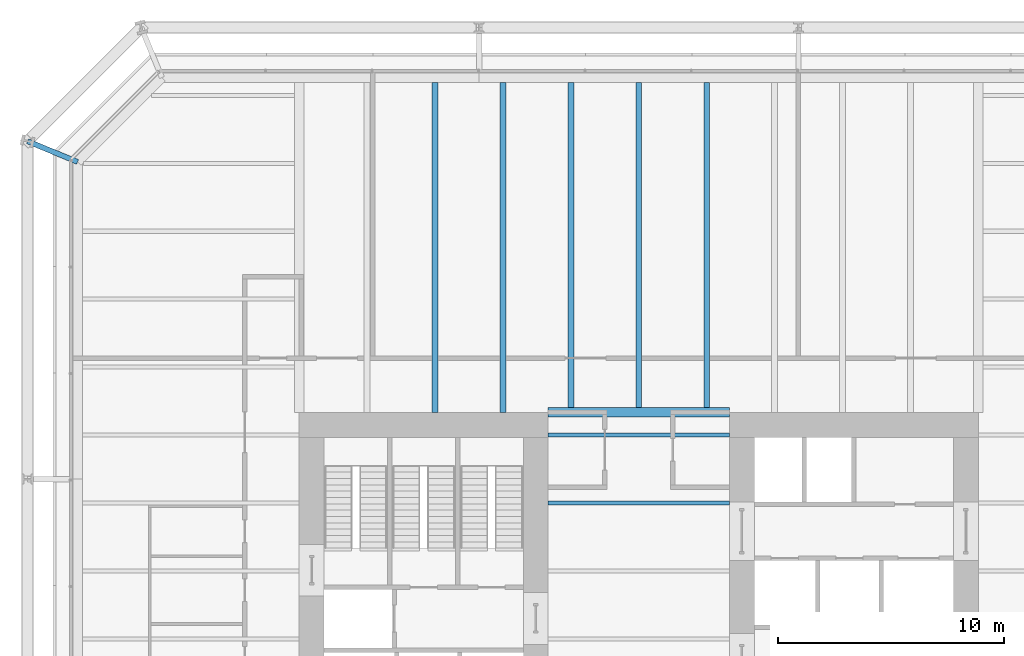
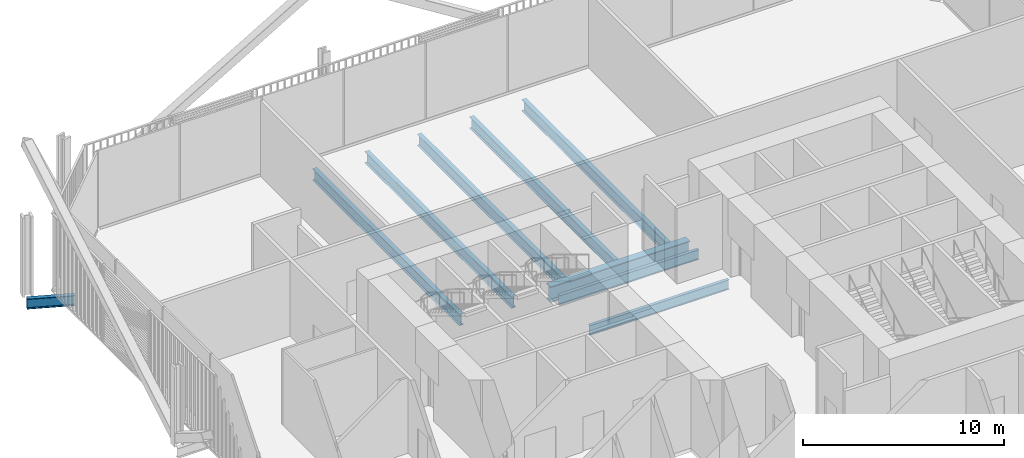
# One storey, part 13 of 22: 9 beams.
"""IFC4 building model written with IfcOpenShell, lengths in metres."""

from ifc_helpers import new_model, si_unit, direction, frame, origin, origin_2d, place, context, subcontext, project, spatial, i_section, extrude, material, material_profile, profile_set, type_object, element, save


model = new_model("IFC4")

# Units and contexts
model_context = context("Model", 3, precision=1e-05, world=origin(), true_north=direction((0.0, 1.0)))
body_context = subcontext(model_context, "Body", "Model", "MODEL_VIEW")
ifc_project = project(units=[si_unit("LENGTHUNIT", "METRE"), si_unit("AREAUNIT", "SQUARE_METRE"), si_unit("VOLUMEUNIT", "CUBIC_METRE"), si_unit("PLANEANGLEUNIT", "RADIAN"), si_unit("MASSUNIT", "GRAM", prefix="KILO")], contexts=[model_context])

# Site, building, storey
site_placement = place(None, origin())
site = spatial("IfcSite", under=ifc_project, at=site_placement, CompositionType="ELEMENT")
building_placement = place(site_placement, origin())
building = spatial("IfcBuilding", under=site, at=building_placement, Name="Millrace Tower", CompositionType="ELEMENT")
storey_placement = place(building_placement, frame((0.0, 0.0, 54.5)))
storey = spatial("IfcBuildingStorey", under=building, at=storey_placement, Name="L12", CompositionType="ELEMENT", Elevation=54.5)

# Beams
ifc_material_1 = material(Name="Steel ASTM A992 Grade 50", Category="steel")
ifc_material_profile_1 = material_profile(ifc_material_1, i_section(OverallWidth=0.177978515625, OverallDepth=0.599365234375, WebThickness=0.010009765625, FlangeThickness=0.012939453125, FilletRadius=0.012939453125, at=origin_2d()))
ifc_profile_set_1 = profile_set([ifc_material_profile_1], Name="Steel ASTM A992 Grade 50")
beam_type_1 = type_object("IfcBeamType", Name="Floor beam W24x55", PredefinedType="JOIST", material=ifc_profile_set_1)
for number, where, z_axis, x_axis, name in (
    (1, (-4.0, 6.0, -0.524658203125), (1.0, 0.0, 0.0), (0.0, 1.0, 0.0), "BM-A-L12-S1-S026"),
    (2, (-4.0, 9.0, -0.524658203125), (1.0, 0.0, 0.0), (0.0, 1.0, 0.0), "BM-A-L12-S1-S029"),
):
    element("IfcBeam", number, at=place(storey_placement, frame(where, z_axis=z_axis, x_axis=x_axis)), inside=storey, type_object=beam_type_1, Name=name, PredefinedType="JOIST", context=body_context, shape_type="SweptSolid", body=[
        extrude(i_section(OverallWidth=0.177978515625, OverallDepth=0.599365234375, WebThickness=0.010009765625, FlangeThickness=0.012939453125, FilletRadius=0.012939453125, at=origin_2d()), origin(), (0.0, 0.0, 1.0), 8.0),
    ])
ifc_material_2 = material(Name="Steel ASTM A992 Grade 50", Category="steel")
ifc_material_profile_2 = material_profile(ifc_material_2, i_section(OverallWidth=0.256591796875, OverallDepth=0.693359375, WebThickness=0.014404296875, FlangeThickness=0.023681640625, FilletRadius=0.01513671875, at=origin_2d()))
ifc_profile_set_2 = profile_set([ifc_material_profile_2], Name="Steel ASTM A992 Grade 50")
beam_type_2 = type_object("IfcBeamType", Name="Floor beam W27x114", PredefinedType="JOIST", material=ifc_profile_set_2)
for number, where, z_axis, x_axis, name in (
    (3, (-9.0, 10.0, -0.57177734375), (0.0, 1.0, 0.0), (-1.0, 0.0, 0.0), "BM-A-L12-S1-S044"),
    (4, (-6.0, 10.0, -0.57177734375), (0.0, 1.0, 0.0), (-1.0, 0.0, 0.0), "BM-A-L12-S1-S046"),
):
    element("IfcBeam", number, at=place(storey_placement, frame(where, z_axis=z_axis, x_axis=x_axis)), inside=storey, type_object=beam_type_2, Name=name, PredefinedType="JOIST", context=body_context, shape_type="SweptSolid", body=[
        extrude(i_section(OverallWidth=0.256591796875, OverallDepth=0.693359375, WebThickness=0.014404296875, FlangeThickness=0.023681640625, FilletRadius=0.01513671875, at=origin_2d()), origin(), (0.0, 0.0, 1.0), 14.578369140625),
    ])
for number, where, z_axis, x_axis, name in (
    (5, (-3.0, 10.212158203125, -0.57177734375), (0.0, 1.0, 0.0), (-1.0, 0.0, 0.0), "BM-A-L12-S1-S048"),
    (6, (0.0, 10.212158203125, -0.57177734375), (0.0, 1.0, 0.0), (-1.0, 0.0, 0.0), "BM-A-L12-S1-S050"),
    (7, (3.0, 10.212158203125, -0.57177734375), (0.0, 1.0, 0.0), (-1.0, 0.0, 0.0), "BM-A-L12-S1-S052"),
):
    element("IfcBeam", number, at=place(storey_placement, frame(where, z_axis=z_axis, x_axis=x_axis)), inside=storey, type_object=beam_type_2, Name=name, PredefinedType="JOIST", context=body_context, shape_type="SweptSolid", body=[
        extrude(i_section(OverallWidth=0.256591796875, OverallDepth=0.693359375, WebThickness=0.014404296875, FlangeThickness=0.023681640625, FilletRadius=0.01513671875, at=origin_2d()), origin(), (0.0, 0.0, 1.0), 14.3662109375),
    ])
ifc_material_3 = material(Name="Steel ASTM A992 Grade 50", Category="steel")
ifc_material_profile_3 = material_profile(ifc_material_3, i_section(OverallWidth=0.424072265625, OverallDepth=0.947509765625, WebThickness=0.02392578125, FlangeThickness=0.042724609375, FilletRadius=0.024169921875, at=origin_2d()))
ifc_profile_set_3 = profile_set([ifc_material_profile_3], Name="Steel ASTM A992 Grade 50")
beam_type_3 = type_object("IfcBeamType", Name="Girder short span W36x302", PredefinedType="BEAM", material=ifc_profile_set_3)
beam_1_placement = place(storey_placement, frame((-4.0, 10.0, -0.69873046875), z_axis=(1.0, 0.0, 0.0), x_axis=(0.0, 1.0, 0.0)))
element("IfcBeam", 8, at=beam_1_placement, inside=storey, type_object=beam_type_3, Name="BM-A-L12-S1-G064", PredefinedType="BEAM", context=body_context, shape_type="SweptSolid", body=[
    extrude(i_section(OverallWidth=0.424072265625, OverallDepth=0.947509765625, WebThickness=0.02392578125, FlangeThickness=0.042724609375, FilletRadius=0.024169921875, at=origin_2d()), origin(), (0.0, 0.0, 1.0), 8.0),
])
ifc_material_4 = material(Name="Steel ASTM A992 Grade 50", Category="steel")
ifc_material_profile_4 = material_profile(ifc_material_4, i_section(OverallWidth=0.23046875, OverallDepth=0.6171875, WebThickness=0.01318359375, FlangeThickness=0.022216796875, FilletRadius=0.012939453125, at=origin_2d()))
ifc_profile_set_4 = profile_set([ifc_material_profile_4], Name="Steel ASTM A992 Grade 50")
beam_type_4 = type_object("IfcBeamType", Name="Link beam W24x94", PredefinedType="BEAM", material=ifc_profile_set_4)
beam_2_placement = place(storey_placement, frame((-24.7890625, 21.062744140625, -0.53369140625), z_axis=(-0.923883789366, 0.382673155247, 0.0), x_axis=(-0.382673155247, -0.923883789366, 0.0)))
element("IfcBeam", 9, at=beam_2_placement, inside=storey, type_object=beam_type_4, Name="LNK-A-L12-S1-04", PredefinedType="BEAM", context=body_context, shape_type="SweptSolid", body=[
    extrude(i_section(OverallWidth=0.23046875, OverallDepth=0.6171875, WebThickness=0.01318359375, FlangeThickness=0.022216796875, FilletRadius=0.012939453125, at=origin_2d()), origin(), (0.0, 0.0, 1.0), 2.39306640625),
])

save(model, "model.ifc")
